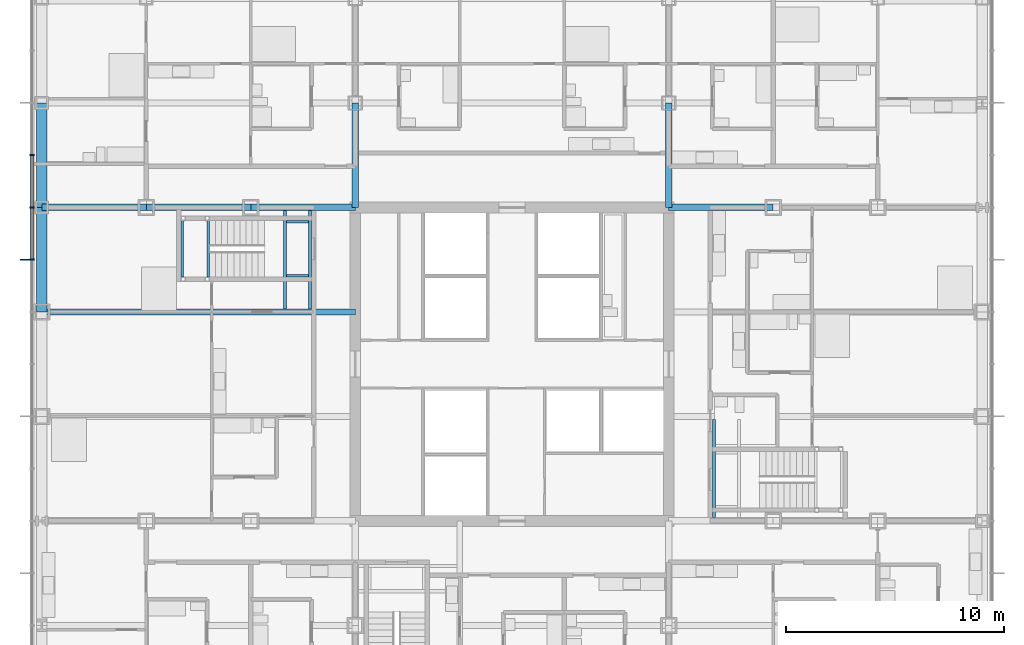
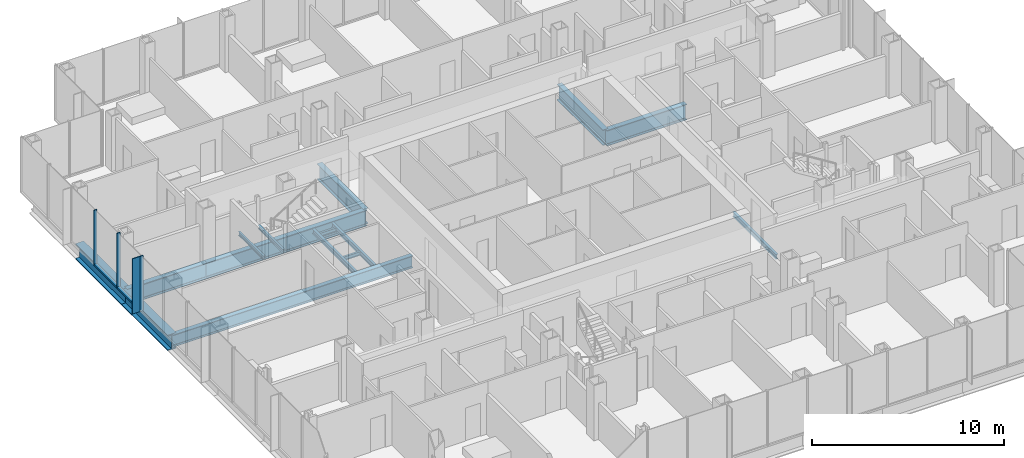
# One storey, part 8 of 21: 16 beams, 6 members, 1 element without a shape of its own.
"""IFC4 building model written with IfcOpenShell, lengths in metres."""

from ifc_helpers import new_model, si_unit, direction, frame, origin, origin_2d, place, context, subcontext, project, spatial, rectangle, i_section, extrude, material, material_profile, profile_set, type_object, element, aggregate, save


model = new_model("IFC4")

# Units and contexts
model_context = context("Model", 3, precision=1e-05, world=origin(), true_north=direction((0.0, 1.0)))
body_context = subcontext(model_context, "Body", "Model", "MODEL_VIEW")
ifc_project = project(units=[si_unit("LENGTHUNIT", "METRE"), si_unit("AREAUNIT", "SQUARE_METRE"), si_unit("VOLUMEUNIT", "CUBIC_METRE"), si_unit("PLANEANGLEUNIT", "RADIAN"), si_unit("MASSUNIT", "GRAM", prefix="KILO")], contexts=[model_context])

# Site, building, storey
site_placement = place(None, origin())
site = spatial("IfcSite", under=ifc_project, at=site_placement, CompositionType="ELEMENT")
building_placement = place(site_placement, origin())
building = spatial("IfcBuilding", under=site, at=building_placement, Name="Kvirike Care Tower", CompositionType="ELEMENT")
storey_placement = place(building_placement, frame((0.0, 0.0, 41.0)))
storey = spatial("IfcBuildingStorey", under=building, at=storey_placement, Name="L10", CompositionType="ELEMENT", Elevation=41.0)

# Curtain wall, members
ifc_material_1 = material(Name="Anodised aluminium stick system", Category="aluminium")
curtain_wall_type = type_object("IfcCurtainWallType", Name="CW-A STICK CURTAIN WALL", PredefinedType="NOTDEFINED", material=ifc_material_1)
curtain_wall_placement = place(storey_placement, origin())
curtain_wall = element("IfcCurtainWall", 1, at=curtain_wall_placement, inside=storey, type_object=curtain_wall_type, Name="Curtain wall L10 face 1", PredefinedType="NOTDEFINED")
ifc_material_2 = material(Name="Bronze anodised aluminium fin", Category="aluminium")
ifc_material_profile_1 = material_profile(ifc_material_2, rectangle(XDim=0.050048828125, YDim=0.449951171875, at=origin_2d()), Name="BRONZE FIN 450")
ifc_profile_set_1 = profile_set([ifc_material_profile_1], Name="Bronze anodised aluminium fin")
member_type_1 = type_object("IfcMemberType", Name="BRONZE FIN 450", PredefinedType="USERDEFINED", material=ifc_profile_set_1)
member_1_placement = place(storey_placement, frame((-0.77490234375, 40.800048828125, 0.0), z_axis=(0.0, 0.0, 1.0), x_axis=(0.0, -1.0, 0.0)))
member_1 = element("IfcMember", 2, at=member_1_placement, type_object=member_type_1, Name="Bronze fin L10 face 1.6", ObjectType="FIN", PredefinedType="USERDEFINED", context=body_context, shape_type="SweptSolid", body=[
    extrude(rectangle(XDim=0.050048828125, YDim=0.449951171875, at=origin_2d()), origin(), (0.0, 0.0, 1.0), 3.5),
])
ifc_material_3 = material(Name="Bronze anodised aluminium mullion", Category="aluminium")
ifc_material_profile_2 = material_profile(ifc_material_3, rectangle(XDim=0.06494140625, YDim=0.199951171875, at=origin_2d()), Name="CW-A MULLION 65x200")
ifc_profile_set_2 = profile_set([ifc_material_profile_2], Name="Bronze anodised aluminium mullion")
member_type_2 = type_object("IfcMemberType", Name="CW-A MULLION 65x200", PredefinedType="MULLION", material=ifc_profile_set_2)
member_2_placement = place(storey_placement, frame((-0.449951171875, 45.60009765625, 0.0), z_axis=(0.0, 0.0, 1.0), x_axis=(0.0, -1.0, 0.0)))
member_2 = element("IfcMember", 3, at=member_2_placement, type_object=member_type_2, Name="CW-A mullion L10 face 1.4", PredefinedType="MULLION", context=body_context, shape_type="SweptSolid", body=[
    extrude(rectangle(XDim=0.06494140625, YDim=0.199951171875, at=origin_2d()), origin(), (0.0, 0.0, 1.0), 3.5),
])
member_3_placement = place(storey_placement, frame((-0.449951171875, 43.199951171875, 0.0), z_axis=(0.0, 0.0, 1.0), x_axis=(0.0, -1.0, 0.0)))
member_3 = element("IfcMember", 4, at=member_3_placement, type_object=member_type_2, Name="CW-A mullion L10 face 1.5", PredefinedType="MULLION", context=body_context, shape_type="SweptSolid", body=[
    extrude(rectangle(XDim=0.06494140625, YDim=0.199951171875, at=origin_2d()), origin(), (0.0, 0.0, 1.0), 3.5),
])
member_4_placement = place(storey_placement, frame((-0.449951171875, 40.800048828125, 0.0), z_axis=(0.0, 0.0, 1.0), x_axis=(0.0, -1.0, 0.0)))
member_4 = element("IfcMember", 5, at=member_4_placement, type_object=member_type_2, Name="CW-A mullion L10 face 1.6", PredefinedType="MULLION", context=body_context, shape_type="SweptSolid", body=[
    extrude(rectangle(XDim=0.06494140625, YDim=0.199951171875, at=origin_2d()), origin(), (0.0, 0.0, 1.0), 3.5),
])
ifc_material_4 = material(Name="Bronze anodised aluminium transom", Category="aluminium")
ifc_material_profile_3 = material_profile(ifc_material_4, rectangle(XDim=0.199951171875, YDim=0.10009765625, at=origin_2d()), Name="CW-A TRANSOM 200x100")
ifc_profile_set_3 = profile_set([ifc_material_profile_3], Name="Bronze anodised aluminium transom")
member_type_3 = type_object("IfcMemberType", Name="CW-A TRANSOM 200x100", PredefinedType="USERDEFINED", material=ifc_profile_set_3)
member_5_placement = place(storey_placement, frame((-0.449951171875, 45.5673828125, 0.050048828125), z_axis=(0.0, -1.0, 0.0), x_axis=(1.0, 0.0, 0.0)))
member_5 = element("IfcMember", 6, at=member_5_placement, type_object=member_type_3, Name="CW-A sill transom L10 face 1.4", ObjectType="TRANSOM", PredefinedType="USERDEFINED", context=body_context, shape_type="SweptSolid", body=[
    extrude(rectangle(XDim=0.199951171875, YDim=0.10009765625, at=origin_2d()), origin(), (0.0, 0.0, 1.0), 2.3349609375),
])
member_6_placement = place(storey_placement, frame((-0.449951171875, 43.16748046875, 0.050048828125), z_axis=(0.0, -1.0, 0.0), x_axis=(1.0, 0.0, 0.0)))
member_6 = element("IfcMember", 7, at=member_6_placement, type_object=member_type_3, Name="CW-A sill transom L10 face 1.5", ObjectType="TRANSOM", PredefinedType="USERDEFINED", context=body_context, shape_type="SweptSolid", body=[
    extrude(rectangle(XDim=0.199951171875, YDim=0.10009765625, at=origin_2d()), origin(), (0.0, 0.0, 1.0), 2.3349609375),
])
aggregate(curtain_wall, [member_2, member_3, member_4, member_1, member_5, member_6])

# Beams
ifc_material_5 = material(Name="Steel S355", Category="steel")
ifc_material_profile_4 = material_profile(ifc_material_5, i_section(OverallWidth=0.26806640625, OverallDepth=0.77001953125, WebThickness=0.015625, FlangeThickness=0.025390625, FilletRadius=0.01708984375, at=origin_2d()), Name="IPE 750x196")
ifc_profile_set_4 = profile_set([ifc_material_profile_4], Name="Steel S355")
beam_type_1 = type_object("IfcBeamType", Name="FLOOR BEAM IPE 750x196", PredefinedType="BEAM", material=ifc_profile_set_4)
beam_1_placement = place(storey_placement, frame((0.0, 38.39990234375, -0.554931640625), z_axis=(1.0, 0.0, 0.0), x_axis=(0.0, 1.0, 0.0)))
element("IfcBeam", 8, at=beam_1_placement, inside=storey, type_object=beam_type_1, Name="Floor Beam J3-J6 L10", PredefinedType="BEAM", context=body_context, shape_type="SweptSolid", body=[
    extrude(i_section(OverallWidth=0.26806640625, OverallDepth=0.77001953125, WebThickness=0.015625, FlangeThickness=0.025390625, FilletRadius=0.01708984375, at=origin_2d()), origin(), (0.0, 0.0, 1.0), 14.39990234375),
])
ifc_material_6 = material(Name="Steel S355", Category="steel")
ifc_material_profile_5 = material_profile(ifc_material_6, i_section(OverallWidth=0.300048828125, OverallDepth=1.0, WebThickness=0.01904296875, FlangeThickness=0.035888671875, FilletRadius=0.030029296875, at=origin_2d()), Name="HE 1000 B")
ifc_profile_set_5 = profile_set([ifc_material_profile_5], Name="Steel S355")
beam_type_2 = type_object("IfcBeamType", Name="FRAME BEAM HE 1000 B", PredefinedType="BEAM", material=ifc_profile_set_5)
for number, where, z_axis, x_axis, name in (
    (9, (0.0, 43.199951171875, -0.669921875), (1.0, 0.0, 0.0), (0.0, 1.0, 0.0), "Frame Beam K3-K4 L10"),
    (10, (4.800048828125, 43.199951171875, -0.669921875), (1.0, 0.0, 0.0), (0.0, 1.0, 0.0), "Frame Beam K4-K5 L10"),
):
    element("IfcBeam", number, at=place(storey_placement, frame(where, z_axis=z_axis, x_axis=x_axis)), inside=storey, type_object=beam_type_2, Name=name, PredefinedType="BEAM", context=body_context, shape_type="SweptSolid", body=[
        extrude(i_section(OverallWidth=0.300048828125, OverallDepth=1.0, WebThickness=0.01904296875, FlangeThickness=0.035888671875, FilletRadius=0.030029296875, at=origin_2d()), origin(), (0.0, 0.0, 1.0), 4.800048828125),
    ])
beam_2_placement = place(storey_placement, frame((9.60009765625, 43.199951171875, -0.669921875), z_axis=(1.0, 0.0, 0.0), x_axis=(0.0, 1.0, 0.0)))
element("IfcBeam", 11, at=beam_2_placement, inside=storey, type_object=beam_type_2, Name="Frame Beam K5-K6 L10", PredefinedType="BEAM", context=body_context, shape_type="SweptSolid", body=[
    extrude(i_section(OverallWidth=0.300048828125, OverallDepth=1.0, WebThickness=0.01904296875, FlangeThickness=0.035888671875, FilletRadius=0.030029296875, at=origin_2d()), origin(), (0.0, 0.0, 1.0), 4.7998046875),
])
for number, where, z_axis, x_axis, name in (
    (12, (28.800048828125, 43.199951171875, -0.669921875), (1.0, 0.0, 0.0), (0.0, 1.0, 0.0), "Frame Beam K9-K10 L10"),
    (13, (14.39990234375, 43.199951171875, -0.669921875), (0.0, 1.0, 0.0), (-1.0, 0.0, 0.0), "Frame Beam K6-L6 L10"),
    (14, (28.800048828125, 43.199951171875, -0.669921875), (0.0, 1.0, 0.0), (-1.0, 0.0, 0.0), "Frame Beam K9-L9 L10"),
):
    element("IfcBeam", number, at=place(storey_placement, frame(where, z_axis=z_axis, x_axis=x_axis)), inside=storey, type_object=beam_type_2, Name=name, PredefinedType="BEAM", context=body_context, shape_type="SweptSolid", body=[
        extrude(i_section(OverallWidth=0.300048828125, OverallDepth=1.0, WebThickness=0.01904296875, FlangeThickness=0.035888671875, FilletRadius=0.030029296875, at=origin_2d()), origin(), (0.0, 0.0, 1.0), 4.800048828125),
    ])
ifc_material_7 = material(Name="Steel S355", Category="steel")
ifc_material_profile_6 = material_profile(ifc_material_7, i_section(OverallWidth=0.5, OverallDepth=1.0, WebThickness=0.030029296875, FlangeThickness=0.06005859375, at=origin_2d()), Name="PG 1000x500x30x60")
ifc_profile_set_6 = profile_set([ifc_material_profile_6], Name="Steel S355")
beam_type_3 = type_object("IfcBeamType", Name="SPANDREL PG 1000x500x30x60", PredefinedType="SPANDREL", material=ifc_profile_set_6)
for number, where, z_axis, x_axis, name in (
    (15, (0.0, 38.39990234375, -0.669921875), (0.0, 1.0, 0.0), (-1.0, 0.0, 0.0), "Spandrel J3-K3 L10"),
    (16, (0.0, 43.199951171875, -0.669921875), (0.0, 1.0, 0.0), (-1.0, 0.0, 0.0), "Spandrel K3-L3 L10"),
):
    element("IfcBeam", number, at=place(storey_placement, frame(where, z_axis=z_axis, x_axis=x_axis)), inside=storey, type_object=beam_type_3, Name=name, PredefinedType="SPANDREL", context=body_context, shape_type="SweptSolid", body=[
        extrude(i_section(OverallWidth=0.5, OverallDepth=1.0, WebThickness=0.030029296875, FlangeThickness=0.06005859375, at=origin_2d()), origin(), (0.0, 0.0, 1.0), 4.800048828125),
    ])
ifc_material_8 = material(Name="Steel S355", Category="steel")
ifc_material_profile_7 = material_profile(ifc_material_8, i_section(OverallWidth=0.1201171875, OverallDepth=0.239990234375, WebThickness=0.006103515625, FlangeThickness=0.009765625, FilletRadius=0.014892578125, at=origin_2d()), Name="IPE 240")
ifc_profile_set_7 = profile_set([ifc_material_profile_7], Name="Steel S355")
beam_type_4 = type_object("IfcBeamType", Name="STAIR LANDING BEAM IPE 240", PredefinedType="BEAM", material=ifc_profile_set_7)
for number, where, z_axis, x_axis, name in (
    (17, (6.4599609375, 42.60009765625, 1.429931640625), (0.0, -1.0, 0.0), (1.0, 0.0, 0.0), "Stair 1 landing beam back L10"),
    (18, (7.639892578125, 42.60009765625, 1.429931640625), (0.0, -1.0, 0.0), (1.0, 0.0, 0.0), "Stair 1 landing beam front L10"),
):
    element("IfcBeam", number, at=place(storey_placement, frame(where, z_axis=z_axis, x_axis=x_axis)), inside=storey, type_object=beam_type_4, Name=name, PredefinedType="BEAM", context=body_context, shape_type="SweptSolid", body=[
        extrude(i_section(OverallWidth=0.1201171875, OverallDepth=0.239990234375, WebThickness=0.006103515625, FlangeThickness=0.009765625, FilletRadius=0.014892578125, at=origin_2d()), origin(), (0.0, 0.0, 1.0), 2.60009765625),
    ])
for number, where, z_axis, x_axis, name in (
    (19, (11.25, 42.5400390625, -0.320068359375), (1.0, 0.0, 0.0), (0.0, 1.0, 0.0), "Stair 1 landing edge beam 1 L10"),
    (20, (11.25, 40.06005859375, -0.320068359375), (1.0, 0.0, 0.0), (0.0, 1.0, 0.0), "Stair 1 landing edge beam 2 L10"),
):
    element("IfcBeam", number, at=place(storey_placement, frame(where, z_axis=z_axis, x_axis=x_axis)), inside=storey, type_object=beam_type_4, Name=name, PredefinedType="BEAM", context=body_context, shape_type="SweptSolid", body=[
        extrude(i_section(OverallWidth=0.1201171875, OverallDepth=0.239990234375, WebThickness=0.006103515625, FlangeThickness=0.009765625, FilletRadius=0.014892578125, at=origin_2d()), origin(), (0.0, 0.0, 1.0), 1.0),
    ])
ifc_material_9 = material(Name="Steel S355", Category="steel")
ifc_material_profile_8 = material_profile(ifc_material_9, i_section(OverallWidth=0.14990234375, OverallDepth=0.300048828125, WebThickness=0.007080078125, FlangeThickness=0.0107421875, FilletRadius=0.014892578125, at=origin_2d()), Name="IPE 300")
ifc_profile_set_8 = profile_set([ifc_material_profile_8], Name="Steel S355")
beam_type_5 = type_object("IfcBeamType", Name="STAIR TRIMMER IPE 300", PredefinedType="BEAM", material=ifc_profile_set_8)
for number, where, z_axis, x_axis, name in (
    (21, (11.175048828125, 43.050048828125, -0.35009765625), (0.0, -1.0, 0.0), (1.0, 0.0, 0.0), "Stair 1 trimmer 1 L10"),
    (22, (12.324951171875, 43.050048828125, -0.35009765625), (0.0, -1.0, 0.0), (1.0, 0.0, 0.0), "Stair 1 trimmer 2 L10"),
    (23, (30.875, 28.949951171875, -0.35009765625), (0.0, 1.0, 0.0), (-1.0, 0.0, 0.0), "Stair 2 trimmer 2 L10"),
):
    element("IfcBeam", number, at=place(storey_placement, frame(where, z_axis=z_axis, x_axis=x_axis)), inside=storey, type_object=beam_type_5, Name=name, PredefinedType="BEAM", context=body_context, shape_type="SweptSolid", body=[
        extrude(i_section(OverallWidth=0.14990234375, OverallDepth=0.300048828125, WebThickness=0.007080078125, FlangeThickness=0.0107421875, FilletRadius=0.014892578125, at=origin_2d()), origin(), (0.0, 0.0, 1.0), 4.51611328125),
    ])

save(model, "model.ifc")
